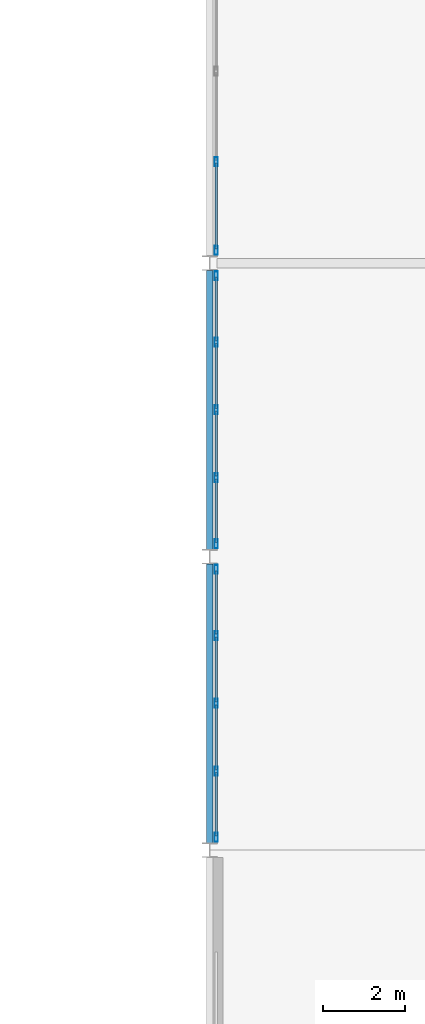
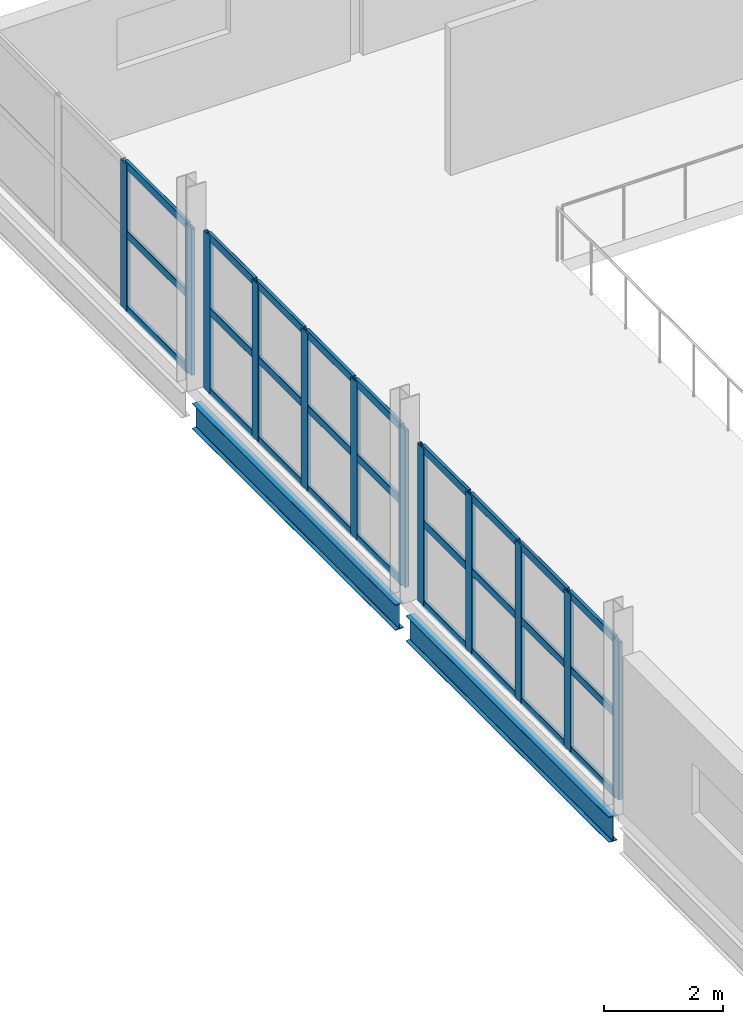
# One storey, part 33 of 94: 39 members, 2 beams, 3 elements without a shape of their own.
"""IFC4 building model written with IfcOpenShell, lengths in metres."""

from ifc_helpers import new_model, si_unit, direction, frame, origin, origin_2d, place, context, subcontext, project, spatial, hollow_rectangle, i_section, extrude, material, material_profile, profile_set, type_object, element, aggregate, save


model = new_model("IFC4")

# Units and contexts
model_context = context("Model", 3, precision=1e-05, world=origin(), true_north=direction((0.0, 1.0)))
body_context = subcontext(model_context, "Body", "Model", "MODEL_VIEW")
ifc_project = project(units=[si_unit("LENGTHUNIT", "METRE"), si_unit("AREAUNIT", "SQUARE_METRE"), si_unit("VOLUMEUNIT", "CUBIC_METRE"), si_unit("PLANEANGLEUNIT", "RADIAN"), si_unit("MASSUNIT", "GRAM", prefix="KILO")], contexts=[model_context])

# Site, building, storey
site_placement = place(None, origin())
site = spatial("IfcSite", under=ifc_project, at=site_placement, CompositionType="ELEMENT")
building_placement = place(site_placement, origin())
building = spatial("IfcBuilding", under=site, at=building_placement, Name="Kalmorath City Hall", CompositionType="ELEMENT")
storey_placement = place(building_placement, frame((0.0, 0.0, 14.699951171875)))
storey = spatial("IfcBuildingStorey", under=building, at=storey_placement, Name="L03", CompositionType="ELEMENT", Elevation=14.699951171875)

# Curtain wall, members
ifc_material_1 = material(Name="Anodised aluminium and laminated glass", Category="aluminium")
curtain_wall_type_1 = type_object("IfcCurtainWallType", Name="Unitised hurricane curtain wall 6651x3235 M1800", PredefinedType="NOTDEFINED", material=ifc_material_1)
curtain_wall_1_placement = place(storey_placement, origin())
curtain_wall_1 = element("IfcCurtainWall", 1, at=curtain_wall_1_placement, inside=storey, type_object=curtain_wall_type_1, Name="L03 curtain wall CW-67X32M18 #157", PredefinedType="NOTDEFINED")
ifc_material_2 = material(Name="Anodised aluminium framing", Category="aluminium")
ifc_material_profile_1 = material_profile(ifc_material_2, hollow_rectangle(XDim=0.074951171875, YDim=0.219970703125, WallThickness=0.00390625, InnerFilletRadius=0.00390625, OuterFilletRadius=0.008056640625, at=origin_2d()), Name="ALU-MUL-220X75X4")
ifc_profile_set_1 = profile_set([ifc_material_profile_1], Name="Anodised aluminium framing")
member_type_1 = type_object("IfcMemberType", Name="Curtain-wall primary mullion 220x75", PredefinedType="MULLION", material=ifc_profile_set_1)
member_1_placement = place(storey_placement, frame((115.360107421875, 21.912109375, 0.0), z_axis=(0.0, 0.0, 1.0), x_axis=(-1.0, 0.0, 0.0)))
member_1 = element("IfcMember", 2, at=member_1_placement, type_object=member_type_1, Name="CW-67X32M18 mullion 1", PredefinedType="MULLION", context=body_context, shape_type="SweptSolid", body=[
    extrude(hollow_rectangle(XDim=0.074951171875, YDim=0.219970703125, WallThickness=0.00390625, InnerFilletRadius=0.00390625, OuterFilletRadius=0.008056640625, at=origin_2d()), origin(), (0.0, 0.0, 1.0), 3.235107421875),
])
member_2_placement = place(storey_placement, frame((115.360107421875, 23.537353515625, 0.0), z_axis=(0.0, 0.0, 1.0), x_axis=(-1.0, 0.0, 0.0)))
member_2 = element("IfcMember", 3, at=member_2_placement, type_object=member_type_1, Name="CW-67X32M18 mullion 2", PredefinedType="MULLION", context=body_context, shape_type="SweptSolid", body=[
    extrude(hollow_rectangle(XDim=0.074951171875, YDim=0.219970703125, WallThickness=0.00390625, InnerFilletRadius=0.00390625, OuterFilletRadius=0.008056640625, at=origin_2d()), origin(), (0.0, 0.0, 1.0), 3.235107421875),
])
member_3_placement = place(storey_placement, frame((115.360107421875, 25.199951171875, 0.0), z_axis=(0.0, 0.0, 1.0), x_axis=(-1.0, 0.0, 0.0)))
member_3 = element("IfcMember", 4, at=member_3_placement, type_object=member_type_1, Name="CW-67X32M18 mullion 3", PredefinedType="MULLION", context=body_context, shape_type="SweptSolid", body=[
    extrude(hollow_rectangle(XDim=0.074951171875, YDim=0.219970703125, WallThickness=0.00390625, InnerFilletRadius=0.00390625, OuterFilletRadius=0.008056640625, at=origin_2d()), origin(), (0.0, 0.0, 1.0), 3.235107421875),
])
member_4_placement = place(storey_placement, frame((115.360107421875, 26.86279296875, 0.0), z_axis=(0.0, 0.0, 1.0), x_axis=(-1.0, 0.0, 0.0)))
member_4 = element("IfcMember", 5, at=member_4_placement, type_object=member_type_1, Name="CW-67X32M18 mullion 4", PredefinedType="MULLION", context=body_context, shape_type="SweptSolid", body=[
    extrude(hollow_rectangle(XDim=0.074951171875, YDim=0.219970703125, WallThickness=0.00390625, InnerFilletRadius=0.00390625, OuterFilletRadius=0.008056640625, at=origin_2d()), origin(), (0.0, 0.0, 1.0), 3.235107421875),
])
member_5_placement = place(storey_placement, frame((115.360107421875, 28.488037109375, 0.0), z_axis=(0.0, 0.0, 1.0), x_axis=(-1.0, 0.0, 0.0)))
member_5 = element("IfcMember", 6, at=member_5_placement, type_object=member_type_1, Name="CW-67X32M18 mullion 5", PredefinedType="MULLION", context=body_context, shape_type="SweptSolid", body=[
    extrude(hollow_rectangle(XDim=0.074951171875, YDim=0.219970703125, WallThickness=0.00390625, InnerFilletRadius=0.00390625, OuterFilletRadius=0.008056640625, at=origin_2d()), origin(), (0.0, 0.0, 1.0), 3.235107421875),
])

ifc_material_3 = material(Name="Anodised aluminium and laminated glass", Category="aluminium")
curtain_wall_type_2 = type_object("IfcCurtainWallType", Name="Unitised hurricane curtain wall 6651x3235 M1500", PredefinedType="NOTDEFINED", material=ifc_material_3)
curtain_wall_2_placement = place(storey_placement, origin())
curtain_wall_2 = element("IfcCurtainWall", 7, at=curtain_wall_2_placement, inside=storey, type_object=curtain_wall_type_2, Name="L03 curtain wall CW-67X32M15 #158", PredefinedType="NOTDEFINED")
member_6_placement = place(storey_placement, frame((115.360107421875, 29.112060546875, 0.0), z_axis=(0.0, 0.0, 1.0), x_axis=(-1.0, 0.0, 0.0)))
member_6 = element("IfcMember", 8, at=member_6_placement, type_object=member_type_1, Name="CW-67X32M15 mullion 1", PredefinedType="MULLION", context=body_context, shape_type="SweptSolid", body=[
    extrude(hollow_rectangle(XDim=0.074951171875, YDim=0.219970703125, WallThickness=0.00390625, InnerFilletRadius=0.00390625, OuterFilletRadius=0.008056640625, at=origin_2d()), origin(), (0.0, 0.0, 1.0), 3.235107421875),
])
member_7_placement = place(storey_placement, frame((115.360107421875, 30.7373046875, 0.0), z_axis=(0.0, 0.0, 1.0), x_axis=(-1.0, 0.0, 0.0)))
member_7 = element("IfcMember", 9, at=member_7_placement, type_object=member_type_1, Name="CW-67X32M15 mullion 2", PredefinedType="MULLION", context=body_context, shape_type="SweptSolid", body=[
    extrude(hollow_rectangle(XDim=0.074951171875, YDim=0.219970703125, WallThickness=0.00390625, InnerFilletRadius=0.00390625, OuterFilletRadius=0.008056640625, at=origin_2d()), origin(), (0.0, 0.0, 1.0), 3.235107421875),
])
member_8_placement = place(storey_placement, frame((115.360107421875, 32.39990234375, 0.0), z_axis=(0.0, 0.0, 1.0), x_axis=(-1.0, 0.0, 0.0)))
member_8 = element("IfcMember", 10, at=member_8_placement, type_object=member_type_1, Name="CW-67X32M15 mullion 3", PredefinedType="MULLION", context=body_context, shape_type="SweptSolid", body=[
    extrude(hollow_rectangle(XDim=0.074951171875, YDim=0.219970703125, WallThickness=0.00390625, InnerFilletRadius=0.00390625, OuterFilletRadius=0.008056640625, at=origin_2d()), origin(), (0.0, 0.0, 1.0), 3.235107421875),
])
member_9_placement = place(storey_placement, frame((115.360107421875, 34.062744140625, 0.0), z_axis=(0.0, 0.0, 1.0), x_axis=(-1.0, 0.0, 0.0)))
member_9 = element("IfcMember", 11, at=member_9_placement, type_object=member_type_1, Name="CW-67X32M15 mullion 4", PredefinedType="MULLION", context=body_context, shape_type="SweptSolid", body=[
    extrude(hollow_rectangle(XDim=0.074951171875, YDim=0.219970703125, WallThickness=0.00390625, InnerFilletRadius=0.00390625, OuterFilletRadius=0.008056640625, at=origin_2d()), origin(), (0.0, 0.0, 1.0), 3.235107421875),
])
member_10_placement = place(storey_placement, frame((115.360107421875, 35.68798828125, 0.0), z_axis=(0.0, 0.0, 1.0), x_axis=(-1.0, 0.0, 0.0)))
member_10 = element("IfcMember", 12, at=member_10_placement, type_object=member_type_1, Name="CW-67X32M15 mullion 5", PredefinedType="MULLION", context=body_context, shape_type="SweptSolid", body=[
    extrude(hollow_rectangle(XDim=0.074951171875, YDim=0.219970703125, WallThickness=0.00390625, InnerFilletRadius=0.00390625, OuterFilletRadius=0.008056640625, at=origin_2d()), origin(), (0.0, 0.0, 1.0), 3.235107421875),
])

ifc_material_4 = material(Name="Anodised aluminium and laminated glass", Category="aluminium")
curtain_wall_type_3 = type_object("IfcCurtainWallType", Name="Unitised hurricane curtain wall 6651x3018 M2100", PredefinedType="NOTDEFINED", material=ifc_material_4)
curtain_wall_3_placement = place(storey_placement, origin())
curtain_wall_3 = element("IfcCurtainWall", 13, at=curtain_wall_3_placement, inside=storey, type_object=curtain_wall_type_3, Name="L03 curtain wall CW-67X30M21 #159", PredefinedType="NOTDEFINED")
member_11_placement = place(storey_placement, frame((115.360107421875, 36.31201171875, 0.0), z_axis=(0.0, 0.0, 1.0), x_axis=(-1.0, 0.0, 0.0)))
member_11 = element("IfcMember", 14, at=member_11_placement, type_object=member_type_1, Name="CW-67X30M21 mullion 1", PredefinedType="MULLION", context=body_context, shape_type="SweptSolid", body=[
    extrude(hollow_rectangle(XDim=0.074951171875, YDim=0.219970703125, WallThickness=0.00390625, InnerFilletRadius=0.00390625, OuterFilletRadius=0.008056640625, at=origin_2d()), origin(), (0.0, 0.0, 1.0), 3.01806640625),
])
member_12_placement = place(storey_placement, frame((115.360107421875, 38.491455078125, 0.0), z_axis=(0.0, 0.0, 1.0), x_axis=(-1.0, 0.0, 0.0)))
member_12 = element("IfcMember", 15, at=member_12_placement, type_object=member_type_1, Name="CW-67X30M21 mullion 2", PredefinedType="MULLION", context=body_context, shape_type="SweptSolid", body=[
    extrude(hollow_rectangle(XDim=0.074951171875, YDim=0.219970703125, WallThickness=0.00390625, InnerFilletRadius=0.00390625, OuterFilletRadius=0.008056640625, at=origin_2d()), origin(), (0.0, 0.0, 1.0), 3.01806640625),
])

# Member
ifc_material_5 = material(Name="Anodised aluminium framing", Category="aluminium")
ifc_material_profile_2 = material_profile(ifc_material_5, hollow_rectangle(XDim=0.06494140625, YDim=0.159912109375, WallThickness=0.00390625, InnerFilletRadius=0.00390625, OuterFilletRadius=0.008056640625, at=origin_2d()), Name="ALU-TRN-160X65X4")
ifc_profile_set_2 = profile_set([ifc_material_profile_2], Name="Anodised aluminium framing")
member_type_2 = type_object("IfcMemberType", Name="Curtain-wall primary transom 160x65", PredefinedType="USERDEFINED", material=ifc_profile_set_2)
member_13_placement = place(storey_placement, frame((115.360107421875, 21.949462890625, 0.032470703125), z_axis=(0.0, 1.0, 0.0), x_axis=(-1.0, 0.0, 0.0)))
member_13 = element("IfcMember", 16, at=member_13_placement, type_object=member_type_2, Name="CW-67X32M18 transom 1.1", ObjectType="TRANSOM", PredefinedType="USERDEFINED", context=body_context, shape_type="SweptSolid", body=[
    extrude(hollow_rectangle(XDim=0.06494140625, YDim=0.159912109375, WallThickness=0.00390625, InnerFilletRadius=0.00390625, OuterFilletRadius=0.008056640625, at=origin_2d()), origin(), (0.0, 0.0, 1.0), 1.55029296875),
])

member_14_placement = place(storey_placement, frame((115.360107421875, 21.949462890625, 1.68212890625), z_axis=(0.0, 1.0, 0.0), x_axis=(-1.0, 0.0, 0.0)))
member_14 = element("IfcMember", 17, at=member_14_placement, type_object=member_type_2, Name="CW-67X32M18 transom 1.2", ObjectType="TRANSOM", PredefinedType="USERDEFINED", context=body_context, shape_type="SweptSolid", body=[
    extrude(hollow_rectangle(XDim=0.06494140625, YDim=0.159912109375, WallThickness=0.00390625, InnerFilletRadius=0.00390625, OuterFilletRadius=0.008056640625, at=origin_2d()), origin(), (0.0, 0.0, 1.0), 1.55029296875),
])

member_15_placement = place(storey_placement, frame((115.360107421875, 21.949462890625, 3.20263671875), z_axis=(0.0, 1.0, 0.0), x_axis=(-1.0, 0.0, 0.0)))
member_15 = element("IfcMember", 18, at=member_15_placement, type_object=member_type_2, Name="CW-67X32M18 transom 1.3", ObjectType="TRANSOM", PredefinedType="USERDEFINED", context=body_context, shape_type="SweptSolid", body=[
    extrude(hollow_rectangle(XDim=0.06494140625, YDim=0.159912109375, WallThickness=0.00390625, InnerFilletRadius=0.00390625, OuterFilletRadius=0.008056640625, at=origin_2d()), origin(), (0.0, 0.0, 1.0), 1.55029296875),
])

member_16_placement = place(storey_placement, frame((115.360107421875, 23.57470703125, 0.032470703125), z_axis=(0.0, 1.0, 0.0), x_axis=(-1.0, 0.0, 0.0)))
member_16 = element("IfcMember", 19, at=member_16_placement, type_object=member_type_2, Name="CW-67X32M18 transom 2.1", ObjectType="TRANSOM", PredefinedType="USERDEFINED", context=body_context, shape_type="SweptSolid", body=[
    extrude(hollow_rectangle(XDim=0.06494140625, YDim=0.159912109375, WallThickness=0.00390625, InnerFilletRadius=0.00390625, OuterFilletRadius=0.008056640625, at=origin_2d()), origin(), (0.0, 0.0, 1.0), 1.587890625),
])

member_17_placement = place(storey_placement, frame((115.360107421875, 23.57470703125, 1.68212890625), z_axis=(0.0, 1.0, 0.0), x_axis=(-1.0, 0.0, 0.0)))
member_17 = element("IfcMember", 20, at=member_17_placement, type_object=member_type_2, Name="CW-67X32M18 transom 2.2", ObjectType="TRANSOM", PredefinedType="USERDEFINED", context=body_context, shape_type="SweptSolid", body=[
    extrude(hollow_rectangle(XDim=0.06494140625, YDim=0.159912109375, WallThickness=0.00390625, InnerFilletRadius=0.00390625, OuterFilletRadius=0.008056640625, at=origin_2d()), origin(), (0.0, 0.0, 1.0), 1.587890625),
])

member_18_placement = place(storey_placement, frame((115.360107421875, 23.57470703125, 3.20263671875), z_axis=(0.0, 1.0, 0.0), x_axis=(-1.0, 0.0, 0.0)))
member_18 = element("IfcMember", 21, at=member_18_placement, type_object=member_type_2, Name="CW-67X32M18 transom 2.3", ObjectType="TRANSOM", PredefinedType="USERDEFINED", context=body_context, shape_type="SweptSolid", body=[
    extrude(hollow_rectangle(XDim=0.06494140625, YDim=0.159912109375, WallThickness=0.00390625, InnerFilletRadius=0.00390625, OuterFilletRadius=0.008056640625, at=origin_2d()), origin(), (0.0, 0.0, 1.0), 1.587890625),
])

member_19_placement = place(storey_placement, frame((115.360107421875, 25.237548828125, 0.032470703125), z_axis=(0.0, 1.0, 0.0), x_axis=(-1.0, 0.0, 0.0)))
member_19 = element("IfcMember", 22, at=member_19_placement, type_object=member_type_2, Name="CW-67X32M18 transom 3.1", ObjectType="TRANSOM", PredefinedType="USERDEFINED", context=body_context, shape_type="SweptSolid", body=[
    extrude(hollow_rectangle(XDim=0.06494140625, YDim=0.159912109375, WallThickness=0.00390625, InnerFilletRadius=0.00390625, OuterFilletRadius=0.008056640625, at=origin_2d()), origin(), (0.0, 0.0, 1.0), 1.587646484375),
])

member_20_placement = place(storey_placement, frame((115.360107421875, 25.237548828125, 1.68212890625), z_axis=(0.0, 1.0, 0.0), x_axis=(-1.0, 0.0, 0.0)))
member_20 = element("IfcMember", 23, at=member_20_placement, type_object=member_type_2, Name="CW-67X32M18 transom 3.2", ObjectType="TRANSOM", PredefinedType="USERDEFINED", context=body_context, shape_type="SweptSolid", body=[
    extrude(hollow_rectangle(XDim=0.06494140625, YDim=0.159912109375, WallThickness=0.00390625, InnerFilletRadius=0.00390625, OuterFilletRadius=0.008056640625, at=origin_2d()), origin(), (0.0, 0.0, 1.0), 1.587646484375),
])

member_21_placement = place(storey_placement, frame((115.360107421875, 25.237548828125, 3.20263671875), z_axis=(0.0, 1.0, 0.0), x_axis=(-1.0, 0.0, 0.0)))
member_21 = element("IfcMember", 24, at=member_21_placement, type_object=member_type_2, Name="CW-67X32M18 transom 3.3", ObjectType="TRANSOM", PredefinedType="USERDEFINED", context=body_context, shape_type="SweptSolid", body=[
    extrude(hollow_rectangle(XDim=0.06494140625, YDim=0.159912109375, WallThickness=0.00390625, InnerFilletRadius=0.00390625, OuterFilletRadius=0.008056640625, at=origin_2d()), origin(), (0.0, 0.0, 1.0), 1.587646484375),
])

member_22_placement = place(storey_placement, frame((115.360107421875, 26.900146484375, 0.032470703125), z_axis=(0.0, 1.0, 0.0), x_axis=(-1.0, 0.0, 0.0)))
member_22 = element("IfcMember", 25, at=member_22_placement, type_object=member_type_2, Name="CW-67X32M18 transom 4.1", ObjectType="TRANSOM", PredefinedType="USERDEFINED", context=body_context, shape_type="SweptSolid", body=[
    extrude(hollow_rectangle(XDim=0.06494140625, YDim=0.159912109375, WallThickness=0.00390625, InnerFilletRadius=0.00390625, OuterFilletRadius=0.008056640625, at=origin_2d()), origin(), (0.0, 0.0, 1.0), 1.55029296875),
])

member_23_placement = place(storey_placement, frame((115.360107421875, 26.900146484375, 1.68212890625), z_axis=(0.0, 1.0, 0.0), x_axis=(-1.0, 0.0, 0.0)))
member_23 = element("IfcMember", 26, at=member_23_placement, type_object=member_type_2, Name="CW-67X32M18 transom 4.2", ObjectType="TRANSOM", PredefinedType="USERDEFINED", context=body_context, shape_type="SweptSolid", body=[
    extrude(hollow_rectangle(XDim=0.06494140625, YDim=0.159912109375, WallThickness=0.00390625, InnerFilletRadius=0.00390625, OuterFilletRadius=0.008056640625, at=origin_2d()), origin(), (0.0, 0.0, 1.0), 1.55029296875),
])

member_24_placement = place(storey_placement, frame((115.360107421875, 26.900146484375, 3.20263671875), z_axis=(0.0, 1.0, 0.0), x_axis=(-1.0, 0.0, 0.0)))
member_24 = element("IfcMember", 27, at=member_24_placement, type_object=member_type_2, Name="CW-67X32M18 transom 4.3", ObjectType="TRANSOM", PredefinedType="USERDEFINED", context=body_context, shape_type="SweptSolid", body=[
    extrude(hollow_rectangle(XDim=0.06494140625, YDim=0.159912109375, WallThickness=0.00390625, InnerFilletRadius=0.00390625, OuterFilletRadius=0.008056640625, at=origin_2d()), origin(), (0.0, 0.0, 1.0), 1.55029296875),
])

aggregate(curtain_wall_1, [member_1, member_2, member_3, member_4, member_5, member_13, member_14, member_15, member_16, member_17, member_18, member_19, member_20, member_21, member_22, member_23, member_24])

member_25_placement = place(storey_placement, frame((115.360107421875, 29.1494140625, 0.032470703125), z_axis=(0.0, 1.0, 0.0), x_axis=(-1.0, 0.0, 0.0)))
member_25 = element("IfcMember", 28, at=member_25_placement, type_object=member_type_2, Name="CW-67X32M15 transom 1.1", ObjectType="TRANSOM", PredefinedType="USERDEFINED", context=body_context, shape_type="SweptSolid", body=[
    extrude(hollow_rectangle(XDim=0.06494140625, YDim=0.159912109375, WallThickness=0.00390625, InnerFilletRadius=0.00390625, OuterFilletRadius=0.008056640625, at=origin_2d()), origin(), (0.0, 0.0, 1.0), 1.55029296875),
])

member_26_placement = place(storey_placement, frame((115.360107421875, 29.1494140625, 1.68212890625), z_axis=(0.0, 1.0, 0.0), x_axis=(-1.0, 0.0, 0.0)))
member_26 = element("IfcMember", 29, at=member_26_placement, type_object=member_type_2, Name="CW-67X32M15 transom 1.2", ObjectType="TRANSOM", PredefinedType="USERDEFINED", context=body_context, shape_type="SweptSolid", body=[
    extrude(hollow_rectangle(XDim=0.06494140625, YDim=0.159912109375, WallThickness=0.00390625, InnerFilletRadius=0.00390625, OuterFilletRadius=0.008056640625, at=origin_2d()), origin(), (0.0, 0.0, 1.0), 1.55029296875),
])

member_27_placement = place(storey_placement, frame((115.360107421875, 29.1494140625, 3.20263671875), z_axis=(0.0, 1.0, 0.0), x_axis=(-1.0, 0.0, 0.0)))
member_27 = element("IfcMember", 30, at=member_27_placement, type_object=member_type_2, Name="CW-67X32M15 transom 1.3", ObjectType="TRANSOM", PredefinedType="USERDEFINED", context=body_context, shape_type="SweptSolid", body=[
    extrude(hollow_rectangle(XDim=0.06494140625, YDim=0.159912109375, WallThickness=0.00390625, InnerFilletRadius=0.00390625, OuterFilletRadius=0.008056640625, at=origin_2d()), origin(), (0.0, 0.0, 1.0), 1.55029296875),
])

member_28_placement = place(storey_placement, frame((115.360107421875, 30.774658203125, 0.032470703125), z_axis=(0.0, 1.0, 0.0), x_axis=(-1.0, 0.0, 0.0)))
member_28 = element("IfcMember", 31, at=member_28_placement, type_object=member_type_2, Name="CW-67X32M15 transom 2.1", ObjectType="TRANSOM", PredefinedType="USERDEFINED", context=body_context, shape_type="SweptSolid", body=[
    extrude(hollow_rectangle(XDim=0.06494140625, YDim=0.159912109375, WallThickness=0.00390625, InnerFilletRadius=0.00390625, OuterFilletRadius=0.008056640625, at=origin_2d()), origin(), (0.0, 0.0, 1.0), 1.587890625),
])

member_29_placement = place(storey_placement, frame((115.360107421875, 30.774658203125, 1.68212890625), z_axis=(0.0, 1.0, 0.0), x_axis=(-1.0, 0.0, 0.0)))
member_29 = element("IfcMember", 32, at=member_29_placement, type_object=member_type_2, Name="CW-67X32M15 transom 2.2", ObjectType="TRANSOM", PredefinedType="USERDEFINED", context=body_context, shape_type="SweptSolid", body=[
    extrude(hollow_rectangle(XDim=0.06494140625, YDim=0.159912109375, WallThickness=0.00390625, InnerFilletRadius=0.00390625, OuterFilletRadius=0.008056640625, at=origin_2d()), origin(), (0.0, 0.0, 1.0), 1.587890625),
])

member_30_placement = place(storey_placement, frame((115.360107421875, 30.774658203125, 3.20263671875), z_axis=(0.0, 1.0, 0.0), x_axis=(-1.0, 0.0, 0.0)))
member_30 = element("IfcMember", 33, at=member_30_placement, type_object=member_type_2, Name="CW-67X32M15 transom 2.3", ObjectType="TRANSOM", PredefinedType="USERDEFINED", context=body_context, shape_type="SweptSolid", body=[
    extrude(hollow_rectangle(XDim=0.06494140625, YDim=0.159912109375, WallThickness=0.00390625, InnerFilletRadius=0.00390625, OuterFilletRadius=0.008056640625, at=origin_2d()), origin(), (0.0, 0.0, 1.0), 1.587890625),
])

member_31_placement = place(storey_placement, frame((115.360107421875, 32.4375, 0.032470703125), z_axis=(0.0, 1.0, 0.0), x_axis=(-1.0, 0.0, 0.0)))
member_31 = element("IfcMember", 34, at=member_31_placement, type_object=member_type_2, Name="CW-67X32M15 transom 3.1", ObjectType="TRANSOM", PredefinedType="USERDEFINED", context=body_context, shape_type="SweptSolid", body=[
    extrude(hollow_rectangle(XDim=0.06494140625, YDim=0.159912109375, WallThickness=0.00390625, InnerFilletRadius=0.00390625, OuterFilletRadius=0.008056640625, at=origin_2d()), origin(), (0.0, 0.0, 1.0), 1.587646484375),
])

member_32_placement = place(storey_placement, frame((115.360107421875, 32.4375, 1.68212890625), z_axis=(0.0, 1.0, 0.0), x_axis=(-1.0, 0.0, 0.0)))
member_32 = element("IfcMember", 35, at=member_32_placement, type_object=member_type_2, Name="CW-67X32M15 transom 3.2", ObjectType="TRANSOM", PredefinedType="USERDEFINED", context=body_context, shape_type="SweptSolid", body=[
    extrude(hollow_rectangle(XDim=0.06494140625, YDim=0.159912109375, WallThickness=0.00390625, InnerFilletRadius=0.00390625, OuterFilletRadius=0.008056640625, at=origin_2d()), origin(), (0.0, 0.0, 1.0), 1.587646484375),
])

member_33_placement = place(storey_placement, frame((115.360107421875, 32.4375, 3.20263671875), z_axis=(0.0, 1.0, 0.0), x_axis=(-1.0, 0.0, 0.0)))
member_33 = element("IfcMember", 36, at=member_33_placement, type_object=member_type_2, Name="CW-67X32M15 transom 3.3", ObjectType="TRANSOM", PredefinedType="USERDEFINED", context=body_context, shape_type="SweptSolid", body=[
    extrude(hollow_rectangle(XDim=0.06494140625, YDim=0.159912109375, WallThickness=0.00390625, InnerFilletRadius=0.00390625, OuterFilletRadius=0.008056640625, at=origin_2d()), origin(), (0.0, 0.0, 1.0), 1.587646484375),
])

member_34_placement = place(storey_placement, frame((115.360107421875, 34.100341796875, 0.032470703125), z_axis=(0.0, 1.0, 0.0), x_axis=(-1.0, 0.0, 0.0)))
member_34 = element("IfcMember", 37, at=member_34_placement, type_object=member_type_2, Name="CW-67X32M15 transom 4.1", ObjectType="TRANSOM", PredefinedType="USERDEFINED", context=body_context, shape_type="SweptSolid", body=[
    extrude(hollow_rectangle(XDim=0.06494140625, YDim=0.159912109375, WallThickness=0.00390625, InnerFilletRadius=0.00390625, OuterFilletRadius=0.008056640625, at=origin_2d()), origin(), (0.0, 0.0, 1.0), 1.550048828125),
])

member_35_placement = place(storey_placement, frame((115.360107421875, 34.100341796875, 1.68212890625), z_axis=(0.0, 1.0, 0.0), x_axis=(-1.0, 0.0, 0.0)))
member_35 = element("IfcMember", 38, at=member_35_placement, type_object=member_type_2, Name="CW-67X32M15 transom 4.2", ObjectType="TRANSOM", PredefinedType="USERDEFINED", context=body_context, shape_type="SweptSolid", body=[
    extrude(hollow_rectangle(XDim=0.06494140625, YDim=0.159912109375, WallThickness=0.00390625, InnerFilletRadius=0.00390625, OuterFilletRadius=0.008056640625, at=origin_2d()), origin(), (0.0, 0.0, 1.0), 1.550048828125),
])

member_36_placement = place(storey_placement, frame((115.360107421875, 34.100341796875, 3.20263671875), z_axis=(0.0, 1.0, 0.0), x_axis=(-1.0, 0.0, 0.0)))
member_36 = element("IfcMember", 39, at=member_36_placement, type_object=member_type_2, Name="CW-67X32M15 transom 4.3", ObjectType="TRANSOM", PredefinedType="USERDEFINED", context=body_context, shape_type="SweptSolid", body=[
    extrude(hollow_rectangle(XDim=0.06494140625, YDim=0.159912109375, WallThickness=0.00390625, InnerFilletRadius=0.00390625, OuterFilletRadius=0.008056640625, at=origin_2d()), origin(), (0.0, 0.0, 1.0), 1.550048828125),
])

aggregate(curtain_wall_2, [member_6, member_7, member_8, member_9, member_10, member_25, member_26, member_27, member_28, member_29, member_30, member_31, member_32, member_33, member_34, member_35, member_36])

member_37_placement = place(storey_placement, frame((115.360107421875, 36.349609375, 0.032470703125), z_axis=(0.0, 1.0, 0.0), x_axis=(-1.0, 0.0, 0.0)))
member_37 = element("IfcMember", 40, at=member_37_placement, type_object=member_type_2, Name="CW-67X30M21 transom 1.1", ObjectType="TRANSOM", PredefinedType="USERDEFINED", context=body_context, shape_type="SweptSolid", body=[
    extrude(hollow_rectangle(XDim=0.06494140625, YDim=0.159912109375, WallThickness=0.00390625, InnerFilletRadius=0.00390625, OuterFilletRadius=0.008056640625, at=origin_2d()), origin(), (0.0, 0.0, 1.0), 2.1044921875),
])

member_38_placement = place(storey_placement, frame((115.360107421875, 36.349609375, 1.569091796875), z_axis=(0.0, 1.0, 0.0), x_axis=(-1.0, 0.0, 0.0)))
member_38 = element("IfcMember", 41, at=member_38_placement, type_object=member_type_2, Name="CW-67X30M21 transom 1.2", ObjectType="TRANSOM", PredefinedType="USERDEFINED", context=body_context, shape_type="SweptSolid", body=[
    extrude(hollow_rectangle(XDim=0.06494140625, YDim=0.159912109375, WallThickness=0.00390625, InnerFilletRadius=0.00390625, OuterFilletRadius=0.008056640625, at=origin_2d()), origin(), (0.0, 0.0, 1.0), 2.1044921875),
])

member_39_placement = place(storey_placement, frame((115.360107421875, 36.349609375, 2.985595703125), z_axis=(0.0, 1.0, 0.0), x_axis=(-1.0, 0.0, 0.0)))
member_39 = element("IfcMember", 42, at=member_39_placement, type_object=member_type_2, Name="CW-67X30M21 transom 1.3", ObjectType="TRANSOM", PredefinedType="USERDEFINED", context=body_context, shape_type="SweptSolid", body=[
    extrude(hollow_rectangle(XDim=0.06494140625, YDim=0.159912109375, WallThickness=0.00390625, InnerFilletRadius=0.00390625, OuterFilletRadius=0.008056640625, at=origin_2d()), origin(), (0.0, 0.0, 1.0), 2.1044921875),
])

aggregate(curtain_wall_3, [member_11, member_12, member_37, member_38, member_39])

# Beams
ifc_material_6 = material(Name="Steel ASTM A992 Grade 50", Category="steel")
ifc_material_profile_3 = material_profile(ifc_material_6, i_section(OverallWidth=0.1650390625, OverallDepth=0.52490234375, WebThickness=0.0087890625, FlangeThickness=0.011474609375, FilletRadius=0.014892578125, at=origin_2d()), Name="W21X44")
ifc_profile_set_3 = profile_set([ifc_material_profile_3], Name="Steel ASTM A992 Grade 50")
beam_type = type_object("IfcBeamType", Name="Steel spandrel beam W21X44", PredefinedType="SPANDREL", material=ifc_profile_set_3)
for number, where, z_axis, x_axis, name in (
    (43, (115.199951171875, 21.778076171875, -0.5263671875), (0.0, 1.0, 0.0), (-1.0, 0.0, 0.0), "L03 girder SB4 Y17/4-5"),
    (44, (115.199951171875, 28.97802734375, -0.5263671875), (0.0, 1.0, 0.0), (-1.0, 0.0, 0.0), "L03 girder SB4 Y17/5-6"),
):
    element("IfcBeam", number, at=place(storey_placement, frame(where, z_axis=z_axis, x_axis=x_axis)), inside=storey, type_object=beam_type, Name=name, PredefinedType="SPANDREL", context=body_context, shape_type="SweptSolid", body=[
        extrude(i_section(OverallWidth=0.1650390625, OverallDepth=0.52490234375, WebThickness=0.0087890625, FlangeThickness=0.011474609375, FilletRadius=0.014892578125, at=origin_2d()), origin(), (0.0, 0.0, 1.0), 6.843994140625),
    ])

save(model, "model.ifc")
